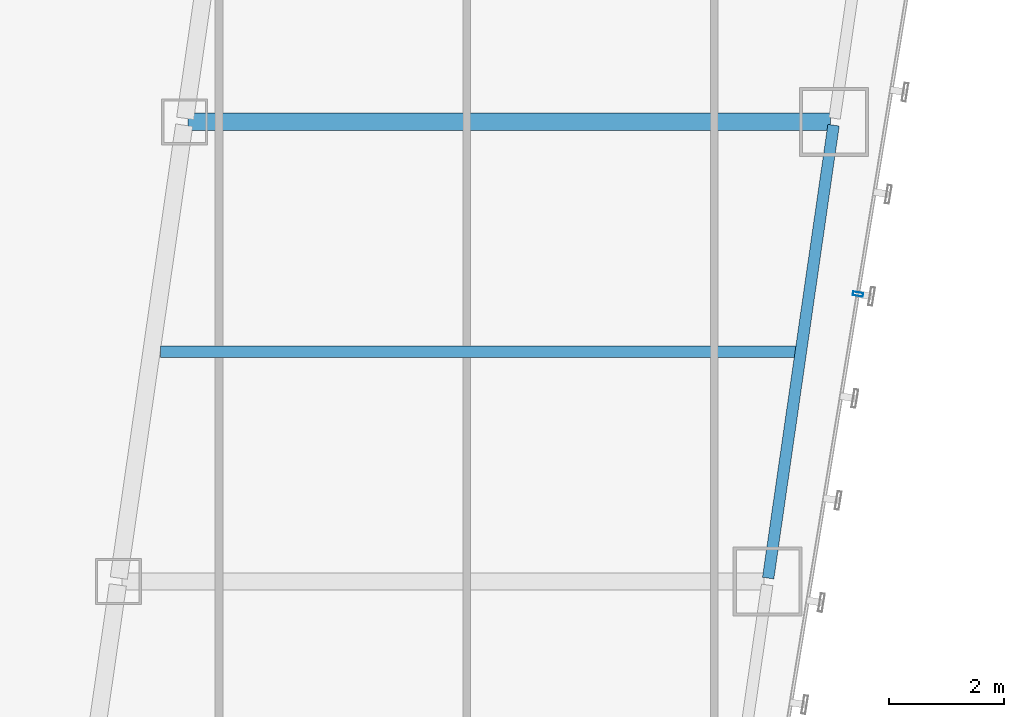
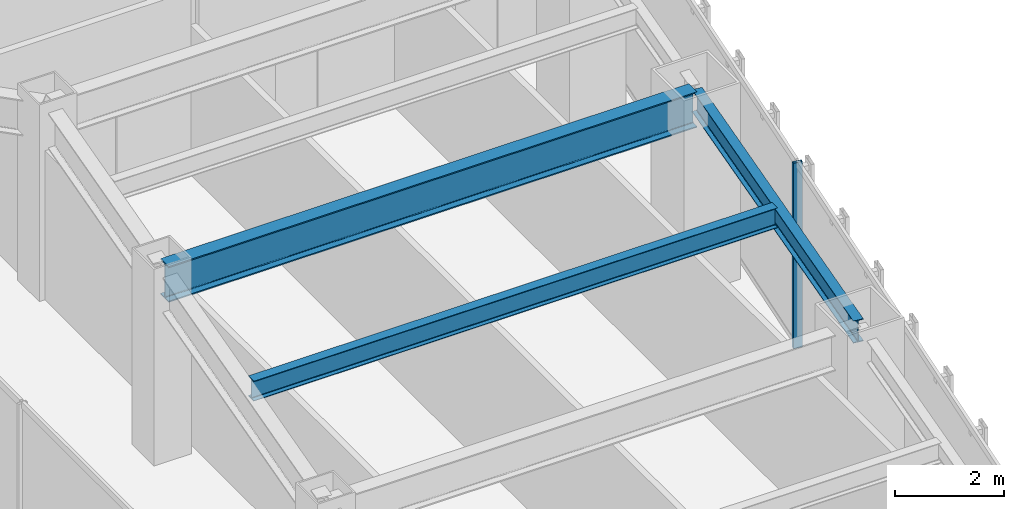
# One storey, part 21 of 47: 3 beams, 1 member, 1 element without a shape of its own.
"""IFC4 building model written with IfcOpenShell, lengths in metres."""

from ifc_helpers import new_model, si_unit, direction, frame, origin, origin_2d, place, context, subcontext, project, spatial, hollow_rectangle, i_section, extrude, material, material_profile, profile_set, type_object, element, aggregate, save


model = new_model("IFC4")

# Units and contexts
model_context = context("Model", 3, precision=1e-05, world=origin(), true_north=direction((0.0, 1.0)))
body_context = subcontext(model_context, "Body", "Model", "MODEL_VIEW")
ifc_project = project(units=[si_unit("LENGTHUNIT", "METRE"), si_unit("AREAUNIT", "SQUARE_METRE"), si_unit("VOLUMEUNIT", "CUBIC_METRE"), si_unit("PLANEANGLEUNIT", "RADIAN"), si_unit("MASSUNIT", "GRAM", prefix="KILO")], contexts=[model_context])

# Site, building, storey
site_placement = place(None, origin())
site = spatial("IfcSite", under=ifc_project, at=site_placement, CompositionType="ELEMENT")
building_placement = place(site_placement, origin())
building = spatial("IfcBuilding", under=site, at=building_placement, Name="Saevonmaru Cultural Tower", CompositionType="ELEMENT")
storey_placement = place(building_placement, frame((0.0, 0.0, 64.800048828125)))
storey = spatial("IfcBuildingStorey", under=building, at=storey_placement, Name="L13", CompositionType="ELEMENT", Elevation=64.800048828125)

# Beams
ifc_material_1 = material(Name="Steel SM420", Category="steel")
ifc_material_profile_1 = material_profile(ifc_material_1, i_section(OverallWidth=0.300048828125, OverallDepth=0.800048828125, WebThickness=0.013916015625, FlangeThickness=0.02587890625, FilletRadius=0.028076171875, at=origin_2d()), Name="H-800x300x14x26")
ifc_profile_set_1 = profile_set([ifc_material_profile_1], Name="Steel SM420")
beam_type_1 = type_object("IfcBeamType", Name="BM-G-H800", PredefinedType="BEAM", material=ifc_profile_set_1)
beam_1_placement = place(storey_placement, frame((40.443115234375, 32.0, 3.75), z_axis=(1.0, 0.0, 0.0), x_axis=(0.0, 1.0, 0.0)))
element("IfcBeam", 1, at=beam_1_placement, inside=storey, type_object=beam_type_1, Name="L13 East Wing Transverse Girder 5", PredefinedType="BEAM", context=body_context, shape_type="SweptSolid", body=[
    extrude(i_section(OverallWidth=0.300048828125, OverallDepth=0.800048828125, WebThickness=0.013916015625, FlangeThickness=0.02587890625, FilletRadius=0.028076171875, at=origin_2d()), origin(), (0.0, 0.0, 1.0), 11.179931640625),
])
ifc_material_2 = material(Name="Steel SM355", Category="steel")
ifc_material_profile_2 = material_profile(ifc_material_2, i_section(OverallWidth=0.199951171875, OverallDepth=0.449951171875, WebThickness=0.009033203125, FlangeThickness=0.013916015625, FilletRadius=0.01806640625, at=origin_2d()), Name="H-450x200x9x14")
ifc_profile_set_2 = profile_set([ifc_material_profile_2], Name="Steel SM355")
beam_type_2 = type_object("IfcBeamType", Name="BM-J-H450", PredefinedType="JOIST", material=ifc_profile_set_2)
beam_2_placement = place(storey_placement, frame((39.96337890625, 28.0, 3.925048828125), z_axis=(1.0, 0.0, 0.0), x_axis=(0.0, 1.0, 0.0)))
element("IfcBeam", 2, at=beam_2_placement, inside=storey, type_object=beam_type_2, Name="L13 East Wing Floor Joist 4", PredefinedType="JOIST", context=body_context, shape_type="SweptSolid", body=[
    extrude(i_section(OverallWidth=0.199951171875, OverallDepth=0.449951171875, WebThickness=0.009033203125, FlangeThickness=0.013916015625, FilletRadius=0.01806640625, at=origin_2d()), origin(), (0.0, 0.0, 1.0), 11.08203125),
])
ifc_material_profile_3 = material_profile(ifc_material_2, i_section(OverallWidth=0.199951171875, OverallDepth=0.5, WebThickness=0.010009765625, FlangeThickness=0.01611328125, FilletRadius=0.02001953125, at=origin_2d()), Name="H-500x200x10x16")
ifc_profile_set_3 = profile_set([ifc_material_profile_3], Name="Steel SM355")
beam_type_3 = type_object("IfcBeamType", Name="BM-SP-H500", PredefinedType="SPANDREL", material=ifc_profile_set_3)
beam_3_placement = place(storey_placement, frame((50.53662109375, 24.059326171875, 3.89990234375), z_axis=(0.142871999001, 0.989741174197, 0.0), x_axis=(-0.989741174197, 0.142871999001, 0.0)))
element("IfcBeam", 3, at=beam_3_placement, inside=storey, type_object=beam_type_3, Name="L13 East Splayed Spandrel 4", PredefinedType="SPANDREL", context=body_context, shape_type="SweptSolid", body=[
    extrude(i_section(OverallWidth=0.199951171875, OverallDepth=0.5, WebThickness=0.010009765625, FlangeThickness=0.01611328125, FilletRadius=0.02001953125, at=origin_2d()), origin(), (0.0, 0.0, 1.0), 7.963134765625),
])

# Curtain wall, member
ifc_material_3 = material(Name="Satin Bronze Anodised Aluminium", Category="aluminium")
curtain_wall_type = type_object("IfcCurtainWallType", Name="CW-TYP-A", PredefinedType="NOTDEFINED", material=ifc_material_3)
curtain_wall_placement = place(storey_placement, origin())
curtain_wall = element("IfcCurtainWall", 4, at=curtain_wall_placement, inside=storey, type_object=curtain_wall_type, Name="L13 Unitised Curtain Wall E8", PredefinedType="NOTDEFINED")
ifc_material_profile_4 = material_profile(ifc_material_3, hollow_rectangle(XDim=0.06494140625, YDim=0.179931640625, WallThickness=0.00390625, at=origin_2d()), Name="ALU-MULL-180x65x4")
ifc_profile_set_4 = profile_set([ifc_material_profile_4], Name="Satin Bronze Anodised Aluminium")
member_type = type_object("IfcMemberType", Name="ML-CW-180x65", PredefinedType="MULLION", material=ifc_profile_set_4)
member_placement = place(storey_placement, frame((52.10009765625, 29.0, 0.0), z_axis=(0.0, 0.0, 1.0), x_axis=(0.161708868641, 0.986838508472, 0.0)))
member = element("IfcMember", 5, at=member_placement, type_object=member_type, Name="CW-TW-L13-E8 mullion 3", PredefinedType="MULLION", context=body_context, shape_type="SweptSolid", body=[
    extrude(hollow_rectangle(XDim=0.06494140625, YDim=0.179931640625, WallThickness=0.00390625, at=origin_2d()), origin(), (0.0, 0.0, 1.0), 4.14990234375),
])
aggregate(curtain_wall, [member])

save(model, "model.ifc")
